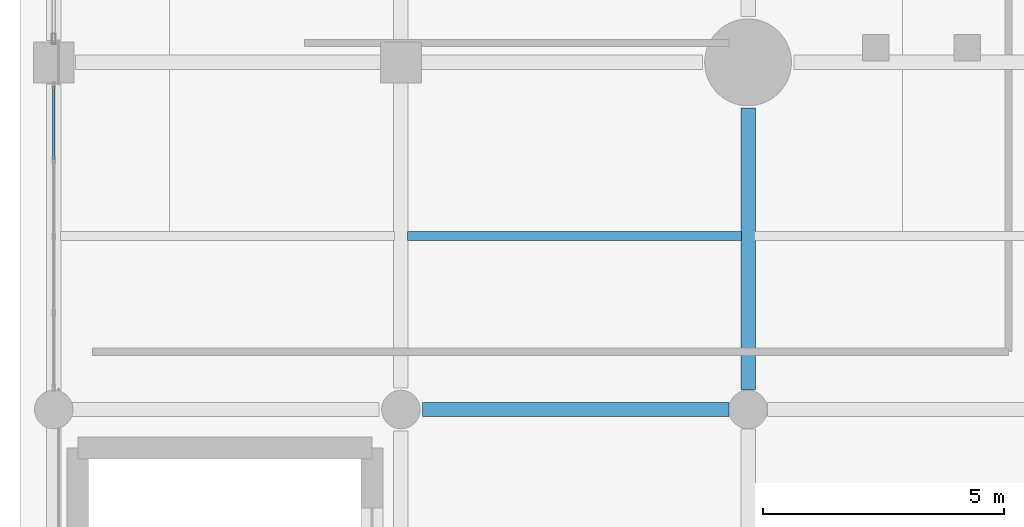
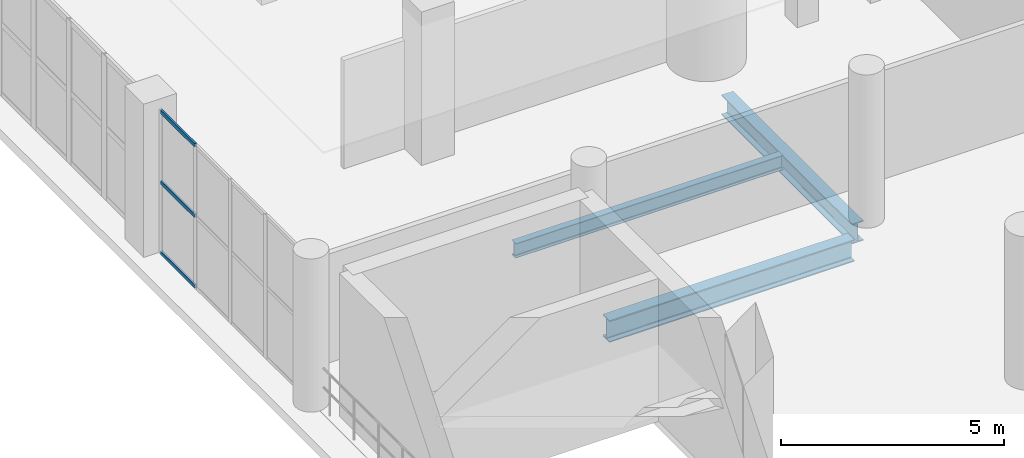
# One storey, part 22 of 153: 3 beams, 3 members, 1 element without a shape of its own.
"""IFC4 building model written with IfcOpenShell, lengths in metres."""

from ifc_helpers import new_model, si_unit, direction, frame, origin, origin_2d, place, context, subcontext, project, spatial, hollow_rectangle, i_section, extrude, material, material_profile, profile_set, type_object, element, aggregate, save


model = new_model("IFC4")

# Units and contexts
model_context = context("Model", 3, precision=1e-05, world=origin(), true_north=direction((0.0, 1.0)))
body_context = subcontext(model_context, "Body", "Model", "MODEL_VIEW")
ifc_project = project(units=[si_unit("LENGTHUNIT", "METRE"), si_unit("AREAUNIT", "SQUARE_METRE"), si_unit("VOLUMEUNIT", "CUBIC_METRE"), si_unit("PLANEANGLEUNIT", "RADIAN"), si_unit("MASSUNIT", "GRAM", prefix="KILO")], contexts=[model_context])

# Site, building, storey
site_placement = place(None, origin())
site = spatial("IfcSite", under=ifc_project, at=site_placement, CompositionType="ELEMENT")
building_placement = place(site_placement, origin())
building = spatial("IfcBuilding", under=site, at=building_placement, Name="Qandorah Velis Arena", CompositionType="ELEMENT")
storey_placement = place(building_placement, frame((0.0, 0.0, 5.39990234375)))
storey = spatial("IfcBuildingStorey", under=building, at=storey_placement, Name="L01", CompositionType="ELEMENT", Elevation=5.39990234375)

# Curtain wall, members
ifc_material_1 = material(Name="Solar-control low-E double glazing", Category="glass")
curtain_wall_type = type_object("IfcCurtainWallType", Name="ARC-CW-SYS04", PredefinedType="USERDEFINED", material=ifc_material_1)
curtain_wall_placement = place(storey_placement, origin())
curtain_wall = element("IfcCurtainWall", 1, at=curtain_wall_placement, inside=storey, type_object=curtain_wall_type, Name="Unitised curtain wall L01-004", ObjectType="UNITISED CURTAIN WALL", PredefinedType="USERDEFINED")
ifc_material_2 = material(Name="Champagne-bronze anodized aluminium 6063-T6", Category="aluminium")
ifc_material_profile_1 = material_profile(ifc_material_2, hollow_rectangle(XDim=0.054931640625, YDim=0.10009765625, WallThickness=0.0029296875, at=origin_2d()), Name="ALU TRANSOM 55x100")
ifc_profile_set_1 = profile_set([ifc_material_profile_1], Name="Champagne-bronze anodized aluminium 6063-T6")
member_type = type_object("IfcMemberType", Name="ARC-CWT-100", PredefinedType="USERDEFINED", material=ifc_profile_set_1)
member_1_placement = place(storey_placement, frame((0.0, 55.584228515625, 0.027587890625), z_axis=(0.0, 1.0, 0.0), x_axis=(-1.0, 0.0, 0.0)))
member_1 = element("IfcMember", 2, at=member_1_placement, type_object=member_type, Name="CW04 transom 4.1", ObjectType="TRANSOM", PredefinedType="USERDEFINED", context=body_context, shape_type="SweptSolid", body=[
    extrude(hollow_rectangle(XDim=0.054931640625, YDim=0.10009765625, WallThickness=0.0029296875, at=origin_2d()), origin(), (0.0, 0.0, 1.0), 1.522705078125),
])
member_2_placement = place(storey_placement, frame((0.0, 55.584228515625, 1.960205078125), z_axis=(0.0, 1.0, 0.0), x_axis=(-1.0, 0.0, 0.0)))
member_2 = element("IfcMember", 3, at=member_2_placement, type_object=member_type, Name="CW04 transom 4.2", ObjectType="TRANSOM", PredefinedType="USERDEFINED", context=body_context, shape_type="SweptSolid", body=[
    extrude(hollow_rectangle(XDim=0.054931640625, YDim=0.10009765625, WallThickness=0.0029296875, at=origin_2d()), origin(), (0.0, 0.0, 1.0), 1.522705078125),
])
member_3_placement = place(storey_placement, frame((0.0, 55.584228515625, 3.892578125), z_axis=(0.0, 1.0, 0.0), x_axis=(-1.0, 0.0, 0.0)))
member_3 = element("IfcMember", 4, at=member_3_placement, type_object=member_type, Name="CW04 transom 4.3", ObjectType="TRANSOM", PredefinedType="USERDEFINED", context=body_context, shape_type="SweptSolid", body=[
    extrude(hollow_rectangle(XDim=0.054931640625, YDim=0.10009765625, WallThickness=0.0029296875, at=origin_2d()), origin(), (0.0, 0.0, 1.0), 1.522705078125),
])
aggregate(curtain_wall, [member_1, member_2, member_3])

# Beams
ifc_material_3 = material(Name="Steel S355", Category="steel")
ifc_material_profile_2 = material_profile(ifc_material_3, i_section(OverallWidth=0.300048828125, OverallDepth=0.550048828125, WebThickness=0.014892578125, FlangeThickness=0.029052734375, FilletRadius=0.027099609375, at=origin_2d()), Name="HEB 550")
ifc_profile_set_2 = profile_set([ifc_material_profile_2], Name="Steel S355")
beam_type_1 = type_object("IfcBeamType", Name="STR-BM-HEB550", PredefinedType="BEAM", material=ifc_profile_set_2)
beam_1_placement = place(storey_placement, frame((14.39990234375, 50.800048828125, -0.635009765625), z_axis=(0.0, 1.0, 0.0), x_axis=(-1.0, 0.0, 0.0)))
element("IfcBeam", 5, at=beam_1_placement, inside=storey, type_object=beam_type_1, Name="Primary floor girder L01 Y-263", PredefinedType="BEAM", context=body_context, shape_type="SweptSolid", body=[
    extrude(i_section(OverallWidth=0.300048828125, OverallDepth=0.550048828125, WebThickness=0.014892578125, FlangeThickness=0.029052734375, FilletRadius=0.027099609375, at=origin_2d()), origin(), (0.0, 0.0, 1.0), 5.849853515625),
])
ifc_material_profile_3 = material_profile(ifc_material_3, i_section(OverallWidth=0.300048828125, OverallDepth=0.60009765625, WebThickness=0.015380859375, FlangeThickness=0.030029296875, FilletRadius=0.027099609375, at=origin_2d()), Name="HEB 600")
ifc_profile_set_3 = profile_set([ifc_material_profile_3], Name="Steel S355")
beam_type_2 = type_object("IfcBeamType", Name="STR-BM-HEB600", PredefinedType="BEAM", material=ifc_profile_set_3)
beam_2_placement = place(storey_placement, frame((7.64990234375, 50.39990234375, -0.659912109375), z_axis=(1.0, 0.0, 0.0), x_axis=(0.0, 1.0, 0.0)))
element("IfcBeam", 6, at=beam_2_placement, inside=storey, type_object=beam_type_2, Name="Primary floor girder L01 X-089", PredefinedType="BEAM", context=body_context, shape_type="SweptSolid", body=[
    extrude(i_section(OverallWidth=0.300048828125, OverallDepth=0.60009765625, WebThickness=0.015380859375, FlangeThickness=0.030029296875, FilletRadius=0.027099609375, at=origin_2d()), origin(), (0.0, 0.0, 1.0), 6.35009765625),
])
ifc_material_profile_4 = material_profile(ifc_material_3, i_section(OverallWidth=0.179931640625, OverallDepth=0.39990234375, WebThickness=0.008544921875, FlangeThickness=0.013427734375, FilletRadius=0.02099609375, at=origin_2d()), Name="IPE 400")
ifc_profile_set_4 = profile_set([ifc_material_profile_4], Name="Steel S355")
beam_type_3 = type_object("IfcBeamType", Name="STR-JST-IPE400", PredefinedType="JOIST", material=ifc_profile_set_4)
beam_3_placement = place(storey_placement, frame((7.3349609375, 54.0, -0.559814453125), z_axis=(1.0, 0.0, 0.0), x_axis=(0.0, 1.0, 0.0)))
element("IfcBeam", 7, at=beam_3_placement, inside=storey, type_object=beam_type_3, Name="Secondary floor joist L01-022", PredefinedType="JOIST", context=body_context, shape_type="SweptSolid", body=[
    extrude(i_section(OverallWidth=0.179931640625, OverallDepth=0.39990234375, WebThickness=0.008544921875, FlangeThickness=0.013427734375, FilletRadius=0.02099609375, at=origin_2d()), origin(), (0.0, 0.0, 1.0), 6.929931640625),
])

save(model, "model.ifc")
